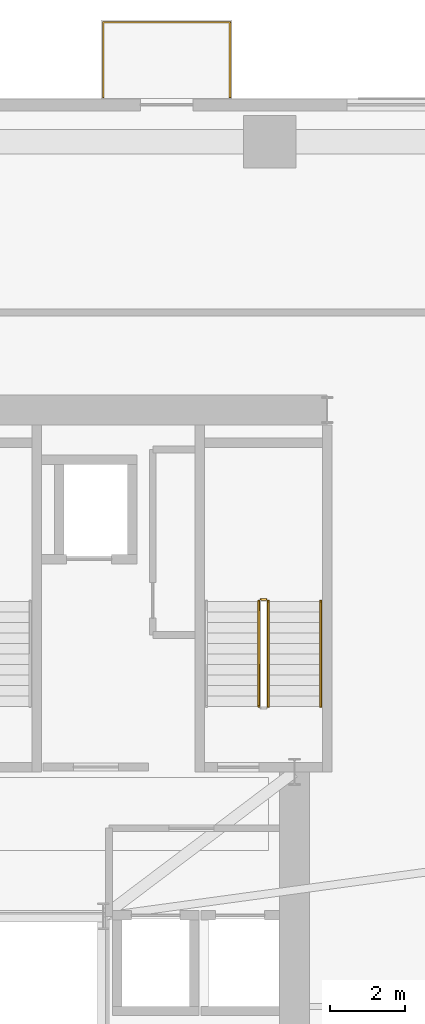
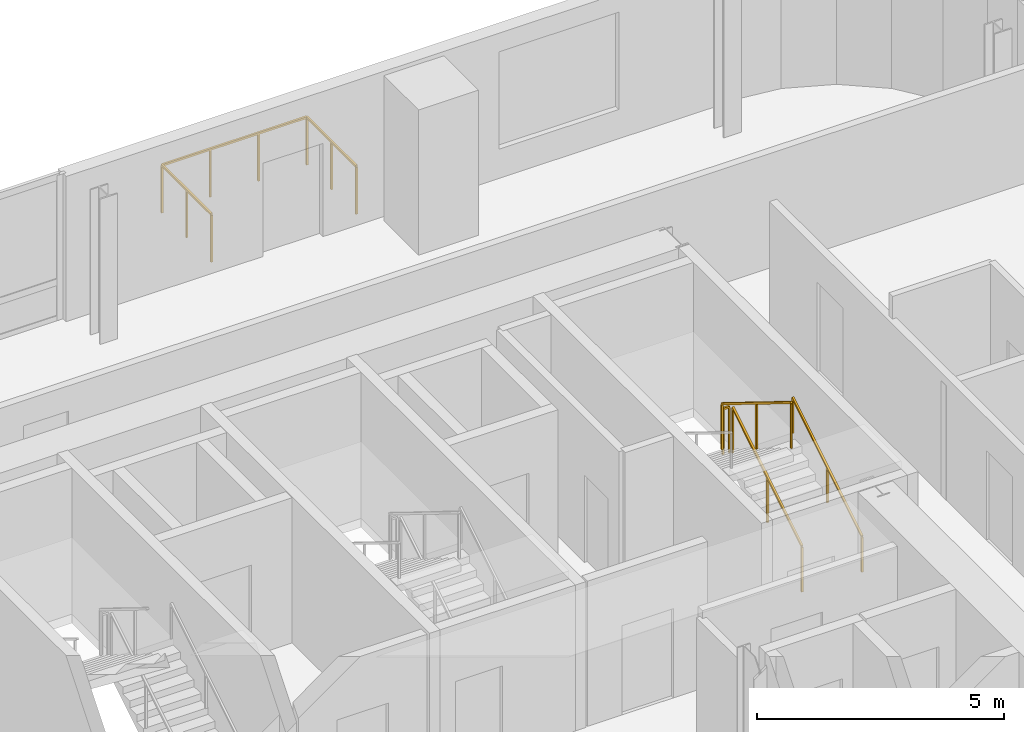
# One storey, part 16 of 16: 5 railings.
"""IFC4 building model written with IfcOpenShell, lengths in metres."""

import ifcopenshell
import ifcopenshell.guid

model = None  # the IFC model being written
_history = None  # IfcOwnerHistory: only IFC2X3 demands one
_inside = {}  # id of a spatial element -> (the spatial element, [elements in it])
_under = {}  # id of a project, library or spatial element -> (it, [spatial elements below it])
_declared = {}  # id of a project -> (the project, [libraries it declares])
_typed = {}  # id of a type object -> (the type object, [elements of that type])
_made_of = {}  # id of a material, layer set ... -> (it, [elements and type objects made of it])


def new_model(schema):
    """Start an empty IFC model of exactly this schema.

    Asked for "IFC4X3", IfcOpenShell would pick the latest addendum, in which some entities
    have other attributes; the version numbers below select the first issue.
    IFC2X3 requires an IfcOwnerHistory on every rooted entity: one is made here for all.
    """
    global model, _history
    if schema == "IFC4X3":
        model = ifcopenshell.file(schema_version=(4, 3, 0, 0))
    else:
        model = ifcopenshell.file(schema=schema)
    _inside.clear()
    _under.clear()
    _declared.clear()
    _typed.clear()
    _made_of.clear()
    _history = None
    if model.schema == "IFC2X3":
        org = make("IfcOrganization", Name="unknown")
        user = make(
            "IfcPersonAndOrganization",
            ThePerson=make("IfcPerson", FamilyName="unknown"),
            TheOrganization=org,
        )
        app = make(
            "IfcApplication",
            ApplicationDeveloper=org,
            Version="unknown",
            ApplicationFullName="unknown",
            ApplicationIdentifier="unknown",
        )
        _history = make(
            "IfcOwnerHistory",
            OwningUser=user,
            OwningApplication=app,
            ChangeAction="ADDED",
            CreationDate=0,
        )
    return model


def make(cls, **values):
    """One entity of the class cls with the attributes given. An attribute that is None is left unset."""
    return model.create_entity(
        cls, **{name: value for name, value in values.items() if value is not None}
    )


def rooted(cls, **values):
    """An entity with a GlobalId (a new one), such as an element, a storey or a relation."""
    return make(cls, GlobalId=ifcopenshell.guid.new(), OwnerHistory=_history, **values)


def si_unit(unit_type, name, prefix=None):
    """IfcSIUnit, for example si_unit("LENGTHUNIT", "METRE", prefix="MILLI")."""
    return make("IfcSIUnit", UnitType=unit_type, Prefix=prefix, Name=name)


def assignment(units):
    """IfcUnitAssignment: the units of a project."""
    return None if units is None else make("IfcUnitAssignment", Units=units)


def point(xyz):
    """IfcCartesianPoint."""
    return None if xyz is None else make("IfcCartesianPoint", Coordinates=xyz)


def direction(xyz):
    """IfcDirection."""
    return None if xyz is None else make("IfcDirection", DirectionRatios=xyz)


def frame(location, z_axis=None, x_axis=None):
    """IfcAxis2Placement3D, a coordinate frame: its origin and axes. An axis left out is left unset."""
    return make(
        "IfcAxis2Placement3D",
        Location=point(location),
        Axis=direction(z_axis),
        RefDirection=direction(x_axis),
    )


def frame_2d(location, x_axis=None):
    """IfcAxis2Placement2D, a coordinate frame in the plane: its origin and x axis."""
    return make(
        "IfcAxis2Placement2D", Location=point(location), RefDirection=direction(x_axis)
    )


def origin():
    """The frame at (0, 0, 0) with its axes left unset."""
    return frame((0.0, 0.0, 0.0))


def origin_2d():
    """The frame at (0, 0) in the plane with its x axis left unset."""
    return frame_2d((0.0, 0.0))


def place(relative_to, where):
    """IfcLocalPlacement: puts the frame where relative to a parent placement (None: the world)."""
    return make(
        "IfcLocalPlacement", PlacementRelTo=relative_to, RelativePlacement=where
    )


def context(
    kind, dimensions, precision=None, world=None, true_north=None, identifier=None
):
    """IfcGeometricRepresentationContext, for example the 3D "Model" context."""
    return make(
        "IfcGeometricRepresentationContext",
        ContextIdentifier=identifier,
        ContextType=kind,
        CoordinateSpaceDimension=dimensions,
        Precision=precision,
        WorldCoordinateSystem=world,
        TrueNorth=true_north,
    )


def subcontext(parent, identifier, kind, view, scale=None):
    """IfcGeometricRepresentationSubContext, for example "Body" below "Model"."""
    return make(
        "IfcGeometricRepresentationSubContext",
        ContextIdentifier=identifier,
        ContextType=kind,
        ParentContext=parent,
        TargetScale=scale,
        TargetView=view,
    )


def project(units=None, contexts=None):
    """IfcProject with its units and contexts."""
    return rooted(
        "IfcProject",
        Name="project",
        RepresentationContexts=contexts,
        UnitsInContext=assignment(units),
    )


def spatial(cls, under=None, at=None, **own):
    """A site, building, storey or space (cls), placed at a placement, below another one or the project."""
    s = rooted(cls, ObjectPlacement=at, **own)
    if under is not None:
        _under.setdefault(under.id(), (under, []))[1].append(s)
    return s


def profile(cls, at=None, kind="AREA", **sizes):
    """A parametric profile (cls). Its sizes go by their IFC names, for example OverallWidth=200.0."""
    return make(cls, ProfileType=kind, Position=at, **sizes)


def rectangle(**sizes):
    """IfcRectangleProfileDef."""
    return profile("IfcRectangleProfileDef", **sizes)


def extrude(swept, where, along, depth):
    """IfcExtrudedAreaSolid: the profile swept, set in the frame where, extruded along a direction by depth."""
    return make(
        "IfcExtrudedAreaSolid",
        SweptArea=swept,
        Position=where,
        ExtrudedDirection=direction(along),
        Depth=depth,
    )


def shape(context_of_items, identifier, shape_type, items):
    """IfcShapeRepresentation: the items that make up one representation, for example the "Body"."""
    return make(
        "IfcShapeRepresentation",
        ContextOfItems=context_of_items,
        RepresentationIdentifier=identifier,
        RepresentationType=shape_type,
        Items=items,
    )


def source(mapping_origin, context_of_items, identifier, shape_type, items):
    """IfcRepresentationMap: a shape defined once, which mapped items show again and again."""
    return make(
        "IfcRepresentationMap",
        MappingOrigin=mapping_origin,
        MappedRepresentation=shape(context_of_items, identifier, shape_type, items),
    )


def transform(
    local_origin,
    x_axis=None,
    y_axis=None,
    z_axis=None,
    scale=None,
    scale2=None,
    scale3=None,
    uniform=True,
):
    """IfcCartesianTransformationOperator3D, or its non-uniform kind. x_axis, y_axis, z_axis: its Axis1, 2, 3."""
    if uniform:
        return make(
            "IfcCartesianTransformationOperator3D",
            Axis1=direction(x_axis),
            Axis2=direction(y_axis),
            LocalOrigin=point(local_origin),
            Scale=scale,
            Axis3=direction(z_axis),
        )
    return make(
        "IfcCartesianTransformationOperator3DnonUniform",
        Axis1=direction(x_axis),
        Axis2=direction(y_axis),
        LocalOrigin=point(local_origin),
        Scale=scale,
        Axis3=direction(z_axis),
        Scale2=scale2,
        Scale3=scale3,
    )


def mapped(mapping_source, mapping_target):
    """IfcMappedItem: shows the shape of a source again, moved by a transform."""
    return make(
        "IfcMappedItem", MappingSource=mapping_source, MappingTarget=mapping_target
    )


def material(Name=None, Category=None):
    """IfcMaterial."""
    return make("IfcMaterial", Name=Name, Category=Category)


def made_of(thing, what):
    """Note that an element or type object is made of a material, layer set ...; save() writes the relation."""
    if what is not None:
        _made_of.setdefault(what.id(), (what, []))[1].append(thing)
    return thing


def type_object(cls, material=None, **own):
    """A type object (cls), such as IfcWallType, which elements share."""
    return made_of(rooted(cls, **own), material)


def element(
    cls,
    number,
    at=None,
    inside=None,
    cuts=None,
    type_object=None,
    material=None,
    context=None,
    identifier="Body",
    shape_type=None,
    held_by="IfcProductDefinitionShape",
    body=None,
    shapes=None,
    **own,
):
    """One element of the class cls, such as IfcWall. Its Tag is "e" and its number.

    at: its placement. inside: the storey or other place that contains it. cuts: it is an
    opening in that element (IfcRelVoidsElement). A single representation is given by context,
    identifier, shape_type and body (its items); several are given by shapes. held_by: the class
    of the entity that holds the representations. save() writes the other relations.
    """
    e = rooted(cls, Tag="e%d" % number, ObjectPlacement=at, **own)
    if body is not None:
        shapes = [shape(context, identifier, shape_type, body)]
    if shapes is not None:
        e.Representation = make(held_by, Representations=shapes)
    if inside is not None:
        _inside.setdefault(inside.id(), (inside, []))[1].append(e)
    if cuts is not None:
        rooted(
            "IfcRelVoidsElement", RelatingBuildingElement=cuts, RelatedOpeningElement=e
        )
    if type_object is not None:
        _typed.setdefault(type_object.id(), (type_object, []))[1].append(e)
    return made_of(e, material)


def aggregate(whole, parts):
    """IfcRelAggregates: a whole, such as a stair, and the parts it consists of."""
    return rooted("IfcRelAggregates", RelatingObject=whole, RelatedObjects=parts)


def save(model, path):
    """Write the relations noted so far, then the file.

    IfcRelAggregates (storeys below a building ...), IfcRelContainedInSpatialStructure (elements
    in a storey), IfcRelDefinesByType, IfcRelAssociatesMaterial and IfcRelDeclares: one each for
    every whole, place, type object, material and project.
    """
    for whole, parts in _under.values():
        aggregate(whole, parts)
    for where, things in _inside.values():
        rooted(
            "IfcRelContainedInSpatialStructure",
            RelatedElements=things,
            RelatingStructure=where,
        )
    for kind, things in _typed.values():
        rooted("IfcRelDefinesByType", RelatedObjects=things, RelatingType=kind)
    for what, things in _made_of.values():
        rooted("IfcRelAssociatesMaterial", RelatedObjects=things, RelatingMaterial=what)
    for by, libraries in _declared.values():
        rooted("IfcRelDeclares", RelatingContext=by, RelatedDefinitions=libraries)
    model.write(path)


model = new_model("IFC4")

# Units and contexts
model_context = context("Model", 3, precision=1e-05, world=origin(), true_north=direction((0.0, 1.0)))
body_context = subcontext(model_context, "Body", "Model", "MODEL_VIEW")
ifc_project = project(units=[si_unit("LENGTHUNIT", "METRE"), si_unit("AREAUNIT", "SQUARE_METRE"), si_unit("VOLUMEUNIT", "CUBIC_METRE"), si_unit("PLANEANGLEUNIT", "RADIAN"), si_unit("MASSUNIT", "GRAM", prefix="KILO")], contexts=[model_context])

# Site, building, storey
site_placement = place(None, origin())
site = spatial("IfcSite", under=ifc_project, at=site_placement, CompositionType="ELEMENT")
building_placement = place(site_placement, origin())
building = spatial("IfcBuilding", under=site, at=building_placement, Name="Vardaveli Station Tower", CompositionType="ELEMENT")
storey_placement = place(building_placement, frame((0.0, 0.0, 181.0)))
storey = spatial("IfcBuildingStorey", under=building, at=storey_placement, Name="L46", CompositionType="ELEMENT", Elevation=181.0)

# Railings
ifc_material_1 = material(Name="Laminated glass and stainless steel balustrade", Category="steel")
railing_type_1 = type_object("IfcRailingType", Name="RL-BAL-1200", PredefinedType="BALUSTRADE", material=ifc_material_1)
shared_shape_1 = source(origin(), body_context, "Body", "SweptSolid", [
    extrude(rectangle(XDim=0.048095703125, YDim=0.048095703125, at=origin_2d()), frame((0.0, 0.0, 1.17578125), z_axis=(0.0, 1.0, 0.0), x_axis=(-1.0, 0.0, 0.0)), (0.0, 0.0, 1.0), 2.0),
    extrude(rectangle(XDim=0.048095703125, YDim=0.048095703125, at=origin_2d()), frame((0.0, 2.0, 1.17578125), z_axis=(1.0, 0.0, 0.0), x_axis=(0.0, 1.0, 0.0)), (0.0, 0.0, 1.0), 3.3798828125),
    extrude(rectangle(XDim=0.048095703125, YDim=0.048095703125, at=origin_2d()), frame((3.3798828125, 2.0, 1.17578125), z_axis=(0.0, -1.0, 0.0), x_axis=(1.0, 0.0, 0.0)), (0.0, 0.0, 1.0), 2.0),
    extrude(rectangle(XDim=0.0419921875, YDim=0.0419921875, at=origin_2d()), origin(), (0.0, 0.0, 1.0), 1.15185546875),
    extrude(rectangle(XDim=0.0419921875, YDim=0.0419921875, at=origin_2d()), frame((0.0, 1.0, 0.0)), (0.0, 0.0, 1.0), 1.15185546875),
    extrude(rectangle(XDim=0.0419921875, YDim=0.0419921875, at=origin_2d()), frame((0.0, 2.0, 0.0)), (0.0, 0.0, 1.0), 1.15185546875),
    extrude(rectangle(XDim=0.0419921875, YDim=0.0419921875, at=origin_2d()), frame((1.126708984375, 2.0, 0.0)), (0.0, 0.0, 1.0), 1.15185546875),
    extrude(rectangle(XDim=0.0419921875, YDim=0.0419921875, at=origin_2d()), frame((2.253173828125, 2.0, 0.0)), (0.0, 0.0, 1.0), 1.15185546875),
    extrude(rectangle(XDim=0.0419921875, YDim=0.0419921875, at=origin_2d()), frame((3.3798828125, 2.0, 0.0)), (0.0, 0.0, 1.0), 1.15185546875),
    extrude(rectangle(XDim=0.0419921875, YDim=0.0419921875, at=origin_2d()), frame((3.3798828125, 1.0, 0.0)), (0.0, 0.0, 1.0), 1.15185546875),
    extrude(rectangle(XDim=0.0419921875, YDim=0.0419921875, at=origin_2d()), frame((3.3798828125, 0.0, 0.0)), (0.0, 0.0, 1.0), 1.15185546875),
])
railing_1_placement = place(storey_placement, frame((41.399658203125, 48.639892578125, 0.0)))
element("IfcRailing", 1, at=railing_1_placement, inside=storey, type_object=railing_type_1, Name="RL-LOG-L46-02", PredefinedType="BALUSTRADE", context=body_context, shape_type="MappedRepresentation", body=[
    mapped(shared_shape_1, transform((0.0, 0.0, 0.0), scale=1.0)),
])
ifc_material_2 = material(Name="Brushed AISI 316 stainless steel", Category="steel")
railing_type_2 = type_object("IfcRailingType", Name="RL-GUARD-1150", PredefinedType="GUARDRAIL", material=ifc_material_2)
shared_shape_2 = source(origin(), body_context, "Body", "SweptSolid", [
    extrude(rectangle(XDim=0.048095703125, YDim=0.048095703125, at=origin_2d()), frame((0.0, 0.0, 1.1259765625), z_axis=(-1.0, 0.0, 0.0), x_axis=(0.0, -1.0, 0.0)), (0.0, 0.0, 1.0), 0.14990234375),
    extrude(rectangle(XDim=0.0419921875, YDim=0.0419921875, at=origin_2d()), origin(), (0.0, 0.0, 1.0), 1.101806640625),
    extrude(rectangle(XDim=0.0419921875, YDim=0.0419921875, at=origin_2d()), frame((-0.14990234375, 0.0, 0.0)), (0.0, 0.0, 1.0), 1.101806640625),
])
railing_2_placement = place(storey_placement, frame((45.75, 35.25, 1.89990234375)))
element("IfcRailing", 2, at=railing_2_placement, inside=storey, type_object=railing_type_2, Name="L46 ST-3 stair guard 2", PredefinedType="GUARDRAIL", context=body_context, shape_type="MappedRepresentation", body=[
    mapped(shared_shape_2, transform((0.0, 0.0, 0.0), scale=1.0)),
])
shared_shape_3 = source(origin(), body_context, "Body", "SweptSolid", [
    extrude(rectangle(XDim=0.048095703125, YDim=0.048095703125, at=origin_2d()), frame((0.0, 0.0, 1.1259765625), z_axis=(0.0, 0.851089632645, 0.525020415988), x_axis=(-1.0, 0.0, 0.0)), (0.0, 0.0, 1.0), 3.2900390625),
    extrude(rectangle(XDim=0.0419921875, YDim=0.0419921875, at=origin_2d()), origin(), (0.0, 0.0, 1.0), 1.101806640625),
    extrude(rectangle(XDim=0.0419921875, YDim=0.0419921875, at=origin_2d()), frame((0.0, 1.39990234375, 0.86376953125)), (0.0, 0.0, 1.0), 1.101806640625),
    extrude(rectangle(XDim=0.0419921875, YDim=0.0419921875, at=origin_2d()), frame((0.0, 2.800048828125, 1.727294921875)), (0.0, 0.0, 1.0), 1.101806640625),
])
railing_3_placement = place(storey_placement, frame((45.800048828125, 32.39990234375, 0.172607421875)))
element("IfcRailing", 3, at=railing_3_placement, inside=storey, type_object=railing_type_2, Name="L46 ST-3 stair guard 1", PredefinedType="GUARDRAIL", context=body_context, shape_type="MappedRepresentation", body=[
    mapped(shared_shape_3, transform((0.0, 0.0, 0.0), scale=1.0)),
])
shared_shape_4 = source(origin(), body_context, "Body", "SweptSolid", [
    extrude(rectangle(XDim=0.048095703125, YDim=0.048095703125, at=origin_2d()), frame((0.0, 0.0, 1.1259765625), z_axis=(0.0, -0.851089632645, 0.525020415988), x_axis=(1.0, 0.0, 0.0)), (0.0, 0.0, 1.0), 3.2900390625),
    extrude(rectangle(XDim=0.0419921875, YDim=0.0419921875, at=origin_2d()), origin(), (0.0, 0.0, 1.0), 1.101806640625),
    extrude(rectangle(XDim=0.0419921875, YDim=0.0419921875, at=origin_2d()), frame((0.0, -1.39990234375, 0.86376953125)), (0.0, 0.0, 1.0), 1.101806640625),
    extrude(rectangle(XDim=0.0419921875, YDim=0.0419921875, at=origin_2d()), frame((0.0, -2.800048828125, 1.727294921875)), (0.0, 0.0, 1.0), 1.101806640625),
])
railing_4_placement = place(storey_placement, frame((45.550048828125, 35.199951171875, 2.07275390625)))
element("IfcRailing", 4, at=railing_4_placement, inside=storey, type_object=railing_type_2, Name="L46 ST-3 stair guard 3", PredefinedType="GUARDRAIL", context=body_context, shape_type="MappedRepresentation", body=[
    mapped(shared_shape_4, transform((0.0, 0.0, 0.0), scale=1.0)),
])
railing_type_3 = type_object("IfcRailingType", Name="RL-HAND-900", PredefinedType="HANDRAIL", material=ifc_material_2)
shared_shape_5 = source(origin(), body_context, "Body", "SweptSolid", [
    extrude(rectangle(XDim=0.048095703125, YDim=0.048095703125, at=origin_2d()), frame((0.0, 0.0, 0.8759765625), z_axis=(0.0, 0.851089632645, 0.525020415988), x_axis=(-1.0, 0.0, 0.0)), (0.0, 0.0, 1.0), 3.2900390625),
    extrude(rectangle(XDim=0.0419921875, YDim=0.0419921875, at=origin_2d()), origin(), (0.0, 0.0, 1.0), 0.851806640625),
    extrude(rectangle(XDim=0.0419921875, YDim=0.0419921875, at=origin_2d()), frame((0.0, 1.39990234375, 0.86376953125)), (0.0, 0.0, 1.0), 0.851806640625),
    extrude(rectangle(XDim=0.0419921875, YDim=0.0419921875, at=origin_2d()), frame((0.0, 2.800048828125, 1.727294921875)), (0.0, 0.0, 1.0), 0.851806640625),
])
railing_5_placement = place(storey_placement, frame((47.199951171875, 32.39990234375, 0.172607421875)))
element("IfcRailing", 5, at=railing_5_placement, inside=storey, type_object=railing_type_3, Name="L46 ST-3 stair handrail 1", PredefinedType="HANDRAIL", context=body_context, shape_type="MappedRepresentation", body=[
    mapped(shared_shape_5, transform((0.0, 0.0, 0.0), scale=1.0)),
])

save(model, "model.ifc")
